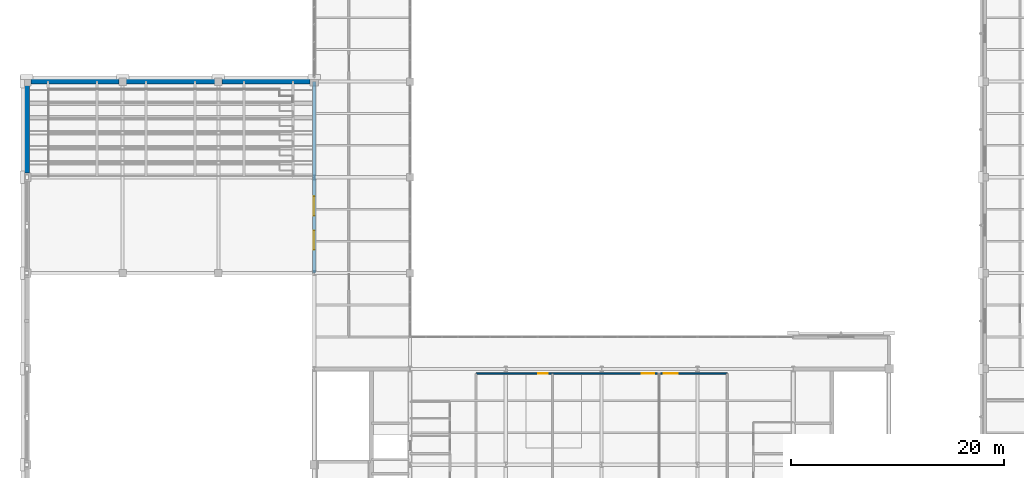
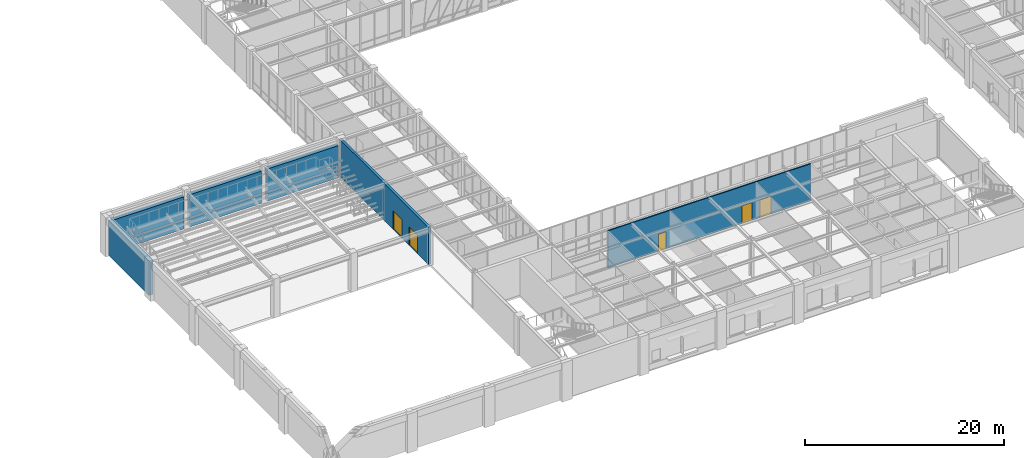
# One storey, part 80 of 98: 6 walls, 5 doors, 5 openings.
"""IFC4 building model written with IfcOpenShell, lengths in metres."""

from ifc_helpers import new_model, si_unit, direction, frame, frame_2d, origin, place, context, subcontext, project, spatial, rectangle, extrude, material, layer, layer_set, type_object, element, fill, save


model = new_model("IFC4")

# Units and contexts
model_context = context("Model", 3, precision=1e-05, world=origin(), true_north=direction((0.0, 1.0)))
body_context = subcontext(model_context, "Body", "Model", "MODEL_VIEW")
ifc_project = project(units=[si_unit("LENGTHUNIT", "METRE"), si_unit("AREAUNIT", "SQUARE_METRE"), si_unit("VOLUMEUNIT", "CUBIC_METRE"), si_unit("PLANEANGLEUNIT", "RADIAN"), si_unit("MASSUNIT", "GRAM", prefix="KILO")], contexts=[model_context])

# Site, building, storey
site_placement = place(None, origin())
site = spatial("IfcSite", under=ifc_project, at=site_placement, CompositionType="ELEMENT")
building_placement = place(site_placement, origin())
building = spatial("IfcBuilding", under=site, at=building_placement, Name="Lykobir Media Centre", CompositionType="ELEMENT")
storey_placement = place(building_placement, frame((0.0, 0.0, 10.199951171875)))
storey = spatial("IfcBuildingStorey", under=building, at=storey_placement, Name="L02", CompositionType="ELEMENT", Elevation=10.199951171875)

# Walls
ifc_material_1 = material(Name="Concrete C35/45", Category="concrete")
ifc_layer_1 = layer(ifc_material_1, 0.4599609375, Name="Concrete C35/45")
ifc_layer_set_1 = layer_set([ifc_layer_1], Name="Concrete C35/45")
wall_type_1 = type_object("IfcWallType", Name="EW-ACO-460", PredefinedType="STANDARD", material=ifc_layer_set_1)
wall_1_placement = place(storey_placement, frame((8.6650390625, 45.0, 0.0), z_axis=(0.0, 0.0, 1.0), x_axis=(-1.0, 0.0, 0.0)))
element("IfcWall", 1, at=wall_1_placement, inside=storey, type_object=wall_type_1, Name="Exterior wall WALL-L02-0184", PredefinedType="STANDARD", context=body_context, shape_type="SweptSolid", body=[
    extrude(rectangle(XDim=8.280029296875, YDim=0.4599609375, at=frame_2d((4.14013671875, 0.0))), origin(), (0.0, 0.0, 1.0), 3.945068359375),
])
wall_2_placement = place(storey_placement, frame((17.6650390625, 45.0, 0.0), z_axis=(0.0, 0.0, 1.0), x_axis=(-1.0, 0.0, 0.0)))
element("IfcWall", 2, at=wall_2_placement, inside=storey, type_object=wall_type_1, Name="Exterior wall WALL-L02-0185", PredefinedType="STANDARD", context=body_context, shape_type="SweptSolid", body=[
    extrude(rectangle(XDim=8.330078125, YDim=0.4599609375, at=frame_2d((4.1650390625, 0.0))), origin(), (0.0, 0.0, 1.0), 3.945068359375),
])
wall_3_placement = place(storey_placement, frame((26.614990234375, 45.0, 0.0), z_axis=(0.0, 0.0, 1.0), x_axis=(-1.0, 0.0, 0.0)))
element("IfcWall", 3, at=wall_3_placement, inside=storey, type_object=wall_type_1, Name="Exterior wall WALL-L02-0186", PredefinedType="STANDARD", context=body_context, shape_type="SweptSolid", body=[
    extrude(rectangle(XDim=8.280029296875, YDim=0.4599609375, at=frame_2d((4.14013671875, 0.0))), origin(), (0.0, 0.0, 1.0), 3.945068359375),
])
wall_4_placement = place(storey_placement, frame((0.0, 44.614990234375, 0.0), z_axis=(0.0, 0.0, 1.0), x_axis=(0.0, -1.0, 0.0)))
element("IfcWall", 4, at=wall_4_placement, inside=storey, type_object=wall_type_1, Name="Exterior wall WALL-L02-0188", PredefinedType="STANDARD", context=body_context, shape_type="SweptSolid", body=[
    extrude(rectangle(XDim=8.22998046875, YDim=0.4599609375, at=frame_2d((4.114990234375, 0.0))), origin(), (0.0, 0.0, 1.0), 4.235107421875),
])

# Wall, openings, doors
ifc_material_2 = material(Name="Acoustic Gypsum Board", Category="gypsum")
ifc_layer_2 = layer(ifc_material_2, 0.14501953125, Name="Acoustic Gypsum Board")
ifc_layer_set_2 = layer_set([ifc_layer_2], Name="Acoustic Gypsum Board")
wall_type_2 = type_object("IfcWallType", Name="IW-COR-145", PredefinedType="PARTITIONING", material=ifc_layer_set_2)
wall_5_placement = place(storey_placement, frame((42.199951171875, 17.550048828125, 0.0), z_axis=(0.0, 0.0, 1.0), x_axis=(1.0, 0.0, 0.0)))
wall_5 = element("IfcWall", 5, at=wall_5_placement, inside=storey, type_object=wall_type_2, Name="Wall IWALL-L02-0696", PredefinedType="PARTITIONING", context=body_context, shape_type="SweptSolid", body=[
    extrude(rectangle(XDim=23.60009765625, YDim=0.14501953125, at=frame_2d((11.800048828125, 0.0))), origin(), (0.0, 0.0, 1.0), 4.56005859375),
])
opening_1_placement = place(wall_5_placement, frame((5.85009765625, 0.0, 0.0)))
opening_1 = element("IfcOpeningElement", 6, at=opening_1_placement, cuts=wall_5, Name="Opening D-L02-V7R1", PredefinedType="OPENING", context=body_context, shape_type="SweptSolid", body=[
    extrude(rectangle(XDim=0.89990234375, YDim=2.10009765625, at=frame_2d((0.449951171875, 1.050048828125))), frame((0.0, 0.08251953125, 0.0), z_axis=(0.0, -1.0, 0.0), x_axis=(1.0, 0.0, 0.0)), (0.0, 0.0, 1.0), 0.1650390625),
])
opening_2_placement = place(wall_5_placement, frame((15.550048828125, 0.0, 0.0)))
opening_2 = element("IfcOpeningElement", 7, at=opening_2_placement, cuts=wall_5, Name="Opening D-L02-V7R2", PredefinedType="OPENING", context=body_context, shape_type="SweptSolid", body=[
    extrude(rectangle(XDim=1.199951171875, YDim=2.179931640625, at=frame_2d((0.60009765625, 1.08984375))), frame((0.0, 0.08251953125, 0.0), z_axis=(0.0, -1.0, 0.0), x_axis=(1.0, 0.0, 0.0)), (0.0, 0.0, 1.0), 0.1650390625),
])
opening_3_placement = place(wall_5_placement, frame((17.64990234375, 0.0, 0.0)))
opening_3 = element("IfcOpeningElement", 8, at=opening_3_placement, cuts=wall_5, Name="Opening D-L02-V7R3", PredefinedType="OPENING", context=body_context, shape_type="SweptSolid", body=[
    extrude(rectangle(XDim=1.300048828125, YDim=2.179931640625, at=frame_2d((0.64990234375, 1.08984375))), frame((0.0, 0.08251953125, 0.0), z_axis=(0.0, -1.0, 0.0), x_axis=(1.0, 0.0, 0.0)), (0.0, 0.0, 1.0), 0.1650390625),
])
ifc_material_3 = material(Name="Acoustic Timber Panelling", Category="wood")
door_type_1 = type_object("IfcDoorType", Name="FD-0900x2100", OperationType="NOTDEFINED", PredefinedType="DOOR", material=ifc_material_3)
door_1_placement = place(opening_1_placement, origin())
door_1 = element("IfcDoor", 9, at=door_1_placement, inside=storey, type_object=door_type_1, Name="Door D-L02-V7R1", OperationType="SINGLE_SWING_RIGHT", OverallHeight=2.10009765625, OverallWidth=0.89990234375, PredefinedType="DOOR", context=body_context, shape_type="SweptSolid", body=[
    extrude(rectangle(XDim=0.89990234375, YDim=2.10009765625, at=frame_2d((0.449951171875, 1.050048828125))), frame((0.0, 0.02490234375, 0.0), z_axis=(0.0, -1.0, 0.0), x_axis=(1.0, 0.0, 0.0)), (0.0, 0.0, 1.0), 0.050048828125),
])
fill(opening_1, door_1)
door_type_2 = type_object("IfcDoorType", Name="FD-1200x2180", OperationType="NOTDEFINED", PredefinedType="DOOR", material=ifc_material_3)
door_2_placement = place(opening_2_placement, origin())
door_2 = element("IfcDoor", 10, at=door_2_placement, inside=storey, type_object=door_type_2, Name="Door D-L02-V7R2", OperationType="SINGLE_SWING_RIGHT", OverallHeight=2.179931640625, OverallWidth=1.199951171875, PredefinedType="DOOR", context=body_context, shape_type="SweptSolid", body=[
    extrude(rectangle(XDim=1.199951171875, YDim=2.179931640625, at=frame_2d((0.60009765625, 1.08984375))), frame((0.0, 0.02490234375, 0.0), z_axis=(0.0, -1.0, 0.0), x_axis=(1.0, 0.0, 0.0)), (0.0, 0.0, 1.0), 0.050048828125),
])
fill(opening_2, door_2)
door_type_3 = type_object("IfcDoorType", Name="FD-1300x2180", OperationType="NOTDEFINED", PredefinedType="DOOR", material=ifc_material_3)
door_3_placement = place(opening_3_placement, origin())
door_3 = element("IfcDoor", 11, at=door_3_placement, inside=storey, type_object=door_type_3, Name="Door D-L02-V7R3", OperationType="SINGLE_SWING_RIGHT", OverallHeight=2.179931640625, OverallWidth=1.300048828125, PredefinedType="DOOR", context=body_context, shape_type="SweptSolid", body=[
    extrude(rectangle(XDim=1.300048828125, YDim=2.179931640625, at=frame_2d((0.64990234375, 1.08984375))), frame((0.0, 0.02490234375, 0.0), z_axis=(0.0, -1.0, 0.0), x_axis=(1.0, 0.0, 0.0)), (0.0, 0.0, 1.0), 0.050048828125),
])
fill(opening_3, door_3)

ifc_material_4 = material(Name="Concrete C40/50", Category="concrete")
ifc_layer_3 = layer(ifc_material_4, 0.300048828125, Name="Concrete C40/50")
ifc_layer_set_3 = layer_set([ifc_layer_3], Name="Concrete C40/50")
wall_type_3 = type_object("IfcWallType", Name="SW-COMP-300", PredefinedType="SHEAR", material=ifc_layer_set_3)
wall_6_placement = place(storey_placement, frame((27.0, 27.0, 0.0), z_axis=(0.0, 0.0, 1.0), x_axis=(0.0, 1.0, 0.0)))
wall_6 = element("IfcWall", 12, at=wall_6_placement, inside=storey, type_object=wall_type_3, Name="Wall IWALL-L02-0704", PredefinedType="SHEAR", context=body_context, shape_type="SweptSolid", body=[
    extrude(rectangle(XDim=18.0, YDim=0.300048828125, at=frame_2d((9.0, 0.0))), origin(), (0.0, 0.0, 1.0), 4.56005859375),
])
opening_4_placement = place(wall_6_placement, frame((2.199951171875, 0.0, 0.0)))
opening_4 = element("IfcOpeningElement", 13, at=opening_4_placement, cuts=wall_6, Name="Opening D-L02-CIN1", PredefinedType="OPENING", context=body_context, shape_type="SweptSolid", body=[
    extrude(rectangle(XDim=1.800048828125, YDim=2.280029296875, at=frame_2d((0.89990234375, 1.14013671875))), frame((0.0, 0.159912109375, 0.0), z_axis=(0.0, -1.0, 0.0), x_axis=(1.0, 0.0, 0.0)), (0.0, 0.0, 1.0), 0.320068359375),
])
opening_5_placement = place(wall_6_placement, frame((5.39990234375, 0.0, 0.0)))
opening_5 = element("IfcOpeningElement", 14, at=opening_5_placement, cuts=wall_6, Name="Opening D-L02-CIN2", PredefinedType="OPENING", context=body_context, shape_type="SweptSolid", body=[
    extrude(rectangle(XDim=1.800048828125, YDim=2.280029296875, at=frame_2d((0.89990234375, 1.14013671875))), frame((0.0, 0.159912109375, 0.0), z_axis=(0.0, -1.0, 0.0), x_axis=(1.0, 0.0, 0.0)), (0.0, 0.0, 1.0), 0.320068359375),
])
door_type_4 = type_object("IfcDoorType", Name="FD-1800x2280", OperationType="NOTDEFINED", PredefinedType="DOOR", material=ifc_material_3)
door_4_placement = place(opening_4_placement, origin())
door_4 = element("IfcDoor", 15, at=door_4_placement, inside=storey, type_object=door_type_4, Name="Door D-L02-CIN1", OperationType="DOUBLE_DOOR_SINGLE_SWING", OverallHeight=2.280029296875, OverallWidth=1.800048828125, PredefinedType="DOOR", context=body_context, shape_type="SweptSolid", body=[
    extrude(rectangle(XDim=1.800048828125, YDim=2.280029296875, at=frame_2d((0.89990234375, 1.14013671875))), frame((0.0, 0.02490234375, 0.0), z_axis=(0.0, -1.0, 0.0), x_axis=(1.0, 0.0, 0.0)), (0.0, 0.0, 1.0), 0.050048828125),
])
fill(opening_4, door_4)
door_5_placement = place(opening_5_placement, origin())
door_5 = element("IfcDoor", 16, at=door_5_placement, inside=storey, type_object=door_type_4, Name="Door D-L02-CIN2", OperationType="DOUBLE_DOOR_SINGLE_SWING", OverallHeight=2.280029296875, OverallWidth=1.800048828125, PredefinedType="DOOR", context=body_context, shape_type="SweptSolid", body=[
    extrude(rectangle(XDim=1.800048828125, YDim=2.280029296875, at=frame_2d((0.89990234375, 1.14013671875))), frame((0.0, 0.02490234375, 0.0), z_axis=(0.0, -1.0, 0.0), x_axis=(1.0, 0.0, 0.0)), (0.0, 0.0, 1.0), 0.050048828125),
])
fill(opening_5, door_5)

save(model, "model.ifc")
